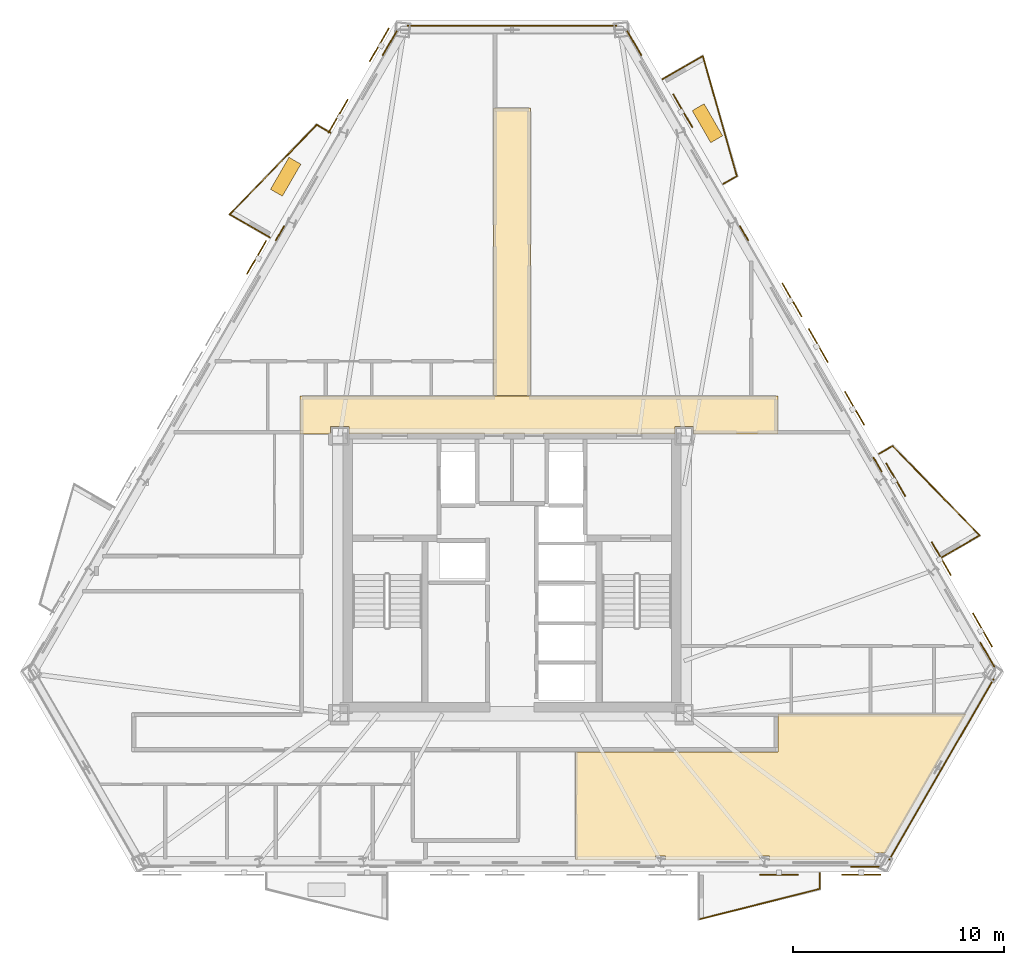
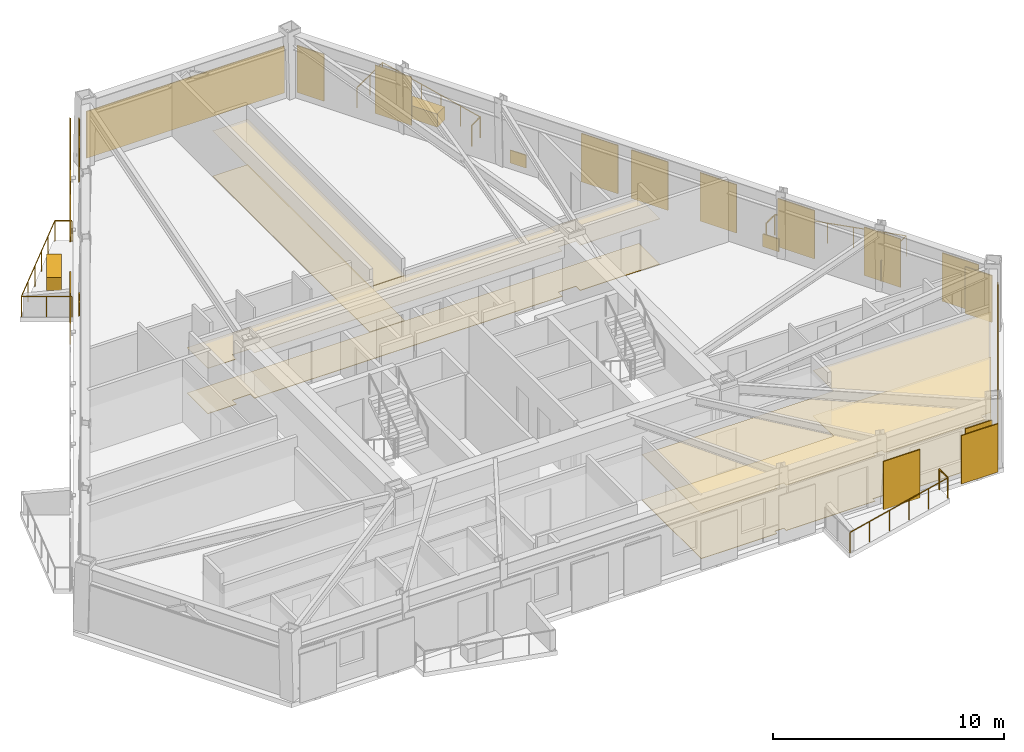
# One storey, part 9 of 9: 17 coverings, 12 shading devices, 11 railings.
"""IFC4 building model written with IfcOpenShell, lengths in metres."""

from ifc_helpers import new_model, si_unit, direction, frame, origin, origin_2d, place, context, subcontext, project, spatial, polyline, rectangle, circle, outline, extrude, material, layer, layer_set, type_object, element, save


model = new_model("IFC4")

# Units and contexts
model_context = context("Model", 3, precision=1e-05, world=origin(), true_north=direction((0.0, 1.0)))
body_context = subcontext(model_context, "Body", "Model", "MODEL_VIEW")
ifc_project = project(units=[si_unit("LENGTHUNIT", "METRE"), si_unit("AREAUNIT", "SQUARE_METRE"), si_unit("VOLUMEUNIT", "CUBIC_METRE"), si_unit("PLANEANGLEUNIT", "RADIAN"), si_unit("MASSUNIT", "GRAM", prefix="KILO")], contexts=[model_context])

# Site, building, storey
site_placement = place(None, origin())
site = spatial("IfcSite", under=ifc_project, at=site_placement, CompositionType="ELEMENT")
building_placement = place(site_placement, origin())
building = spatial("IfcBuilding", under=site, at=building_placement, Name="Oramaril Tower", CompositionType="ELEMENT")
storey_placement = place(building_placement, frame((0.0, 0.0, 130.199951171875)))
storey = spatial("IfcBuildingStorey", under=building, at=storey_placement, Name="L34", CompositionType="ELEMENT", Elevation=130.199951171875)

# Coverings
ifc_material_1 = material(Name="Mineral Fibre Acoustic Ceiling")
ifc_layer_1 = layer(ifc_material_1, 0.02001953125)
ifc_layer_set_1 = layer_set([ifc_layer_1], Name="CVT-CEIL")
covering_type_1 = type_object("IfcCoveringType", Name="CVT-CEIL", PredefinedType="CEILING", material=ifc_layer_set_1)
covering_1_placement = place(storey_placement, frame((0.0, 0.0, 2.400146484375)))
element("IfcCovering", 1, at=covering_1_placement, inside=storey, type_object=covering_type_1, Name="L34 Acoustic Suspended Ceiling 2", PredefinedType="CEILING", context=body_context, shape_type="SweptSolid", body=[
    extrude(outline(polyline([(50.080078125, 24.239990234375), (46.094970703125, 24.239990234375), (46.094970703125, 24.594970703125), (45.205078125, 24.594970703125), (45.205078125, 24.25), (29.794921875, 24.25), (29.794921875, 24.594970703125), (28.905029296875, 24.594970703125), (28.905029296875, 24.239990234375), (27.469970703125, 24.239990234375), (27.469970703125, 26.050048828125), (50.080078125, 26.050048828125), (50.080078125, 24.239990234375)])), origin(), (0.0, 0.0, 1.0), 0.02001953125),
])
covering_2_placement = place(storey_placement, frame((0.0, 0.0, 2.400146484375)))
element("IfcCovering", 2, at=covering_2_placement, inside=storey, type_object=covering_type_1, Name="L34 Acoustic Suspended Ceiling 4", PredefinedType="CEILING", context=body_context, shape_type="SweptSolid", body=[
    extrude(outline(polyline([(38.3798828125, 26.070068359375), (36.6201171875, 26.070068359375), (36.6201171875, 39.679931640625), (38.3798828125, 39.679931640625), (38.3798828125, 26.070068359375)])), origin(), (0.0, 0.0, 1.0), 0.02001953125),
])
covering_3_placement = place(storey_placement, frame((0.0, 0.0, 2.400146484375)))
element("IfcCovering", 3, at=covering_3_placement, inside=storey, type_object=covering_type_1, Name="L34 Acoustic Suspended Ceiling 7", PredefinedType="CEILING", context=body_context, shape_type="SweptSolid", body=[
    extrude(outline(polyline([(55.1962890625, 4.41064453125), (54.69091796875, 4.41064453125), (54.69091796875, 4.06787109375), (49.688720703125, 4.06787109375), (49.688720703125, 4.263671875), (49.21826171875, 4.263671875), (49.21826171875, 4.06787109375), (44.76171875, 4.06787109375), (44.76171875, 4.263671875), (44.30126953125, 4.263671875), (44.30126953125, 4.06787109375), (40.50439453125, 4.06787109375), (40.50439453125, 9.199951171875), (50.080078125, 9.199951171875), (50.08203125, 9.2001953125), (50.083984375, 9.200439453125), (50.085693359375, 9.200927734375), (50.087646484375, 9.201416015625), (50.08935546875, 9.202392578125), (50.091064453125, 9.203369140625), (50.0927734375, 9.20458984375), (50.093994140625, 9.205810546875), (50.095458984375, 9.207275390625), (50.0966796875, 9.208984375), (50.09765625, 9.210693359375), (50.098388671875, 9.21240234375), (50.09912109375, 9.214111328125), (50.099609375, 9.216064453125), (50.099853515625, 9.218017578125), (50.10009765625, 9.219970703125), (50.10009765625, 10.991943359375), (58.99609375, 10.991943359375), (55.1962890625, 4.41064453125)])), origin(), (0.0, 0.0, 1.0), 0.02001953125),
])
ifc_material_2 = material(Name="Warm Cream Limestone", Category="masonry")
ifc_layer_2 = layer(ifc_material_2, 0.050048828125)
ifc_layer_set_2 = layer_set([ifc_layer_2], Name="CVT-CLD")
covering_type_2 = type_object("IfcCoveringType", Name="CVT-CLD", PredefinedType="CLADDING", material=ifc_layer_set_2)
covering_4_placement = place(storey_placement, frame((54.210693359375, 3.766845703125, 0.0400390625), z_axis=(0.0, 0.0, 1.0), x_axis=(1.0, 0.0, 0.0)))
element("IfcCovering", 4, at=covering_4_placement, inside=storey, type_object=covering_type_2, Name="L34 Warm Cream Limestone Cladding", PredefinedType="CLADDING", context=body_context, shape_type="SweptSolid", body=[
    extrude(rectangle(XDim=1.35009765625, YDim=0.050048828125, at=origin_2d()), origin(), (0.0, 0.0, 1.0), 2.47802734375),
])
covering_5_placement = place(storey_placement, frame((57.82666015625, 8.364501953125, 0.0400390625), z_axis=(0.0, 0.0, 1.0), x_axis=(0.5, 0.866025403784, 0.0)))
element("IfcCovering", 5, at=covering_5_placement, inside=storey, type_object=covering_type_2, Name="L34 Warm Cream Limestone Cladding", PredefinedType="CLADDING", context=body_context, shape_type="SweptSolid", body=[
    extrude(rectangle(XDim=9.89453125, YDim=0.050048828125, at=origin_2d()), origin(), (0.0, 0.0, 1.0), 2.47802734375),
])
for number, where, z_axis, x_axis, name in (
    (6, (60.000244140625, 13.79443359375, 0.0400390625), (0.0, 0.0, 1.0), (-0.4999984885, 0.866026276448, 0.0), "L34 Warm Cream Limestone Cladding"),
    (7, (43.289306640625, 42.738525390625, 0.0400390625), (0.0, 0.0, 1.0), (-0.4999984885, 0.866026276448, 0.0), "L34 Warm Cream Limestone Cladding"),
):
    element("IfcCovering", number, at=place(storey_placement, frame(where, z_axis=z_axis, x_axis=x_axis)), inside=storey, type_object=covering_type_2, Name=name, PredefinedType="CLADDING", context=body_context, shape_type="SweptSolid", body=[
        extrude(rectangle(XDim=1.35009765625, YDim=0.050048828125, at=origin_2d()), origin(), (0.0, 0.0, 1.0), 2.47802734375),
    ])
for number, where, z_axis, x_axis, name in (
    (8, (54.805908203125, 22.79150390625, 0.0400390625), (0.0, 0.0, 1.0), (-0.4999984885, 0.866026276448, 0.0), "L34 Warm Cream Limestone Spandrel Cladding"),
    (9, (48.48388671875, 33.741455078125, 0.0400390625), (0.0, 0.0, 1.0), (-0.4999984885, 0.866026276448, 0.0), "L34 Warm Cream Limestone Spandrel Cladding"),
):
    element("IfcCovering", number, at=place(storey_placement, frame(where, z_axis=z_axis, x_axis=x_axis)), inside=storey, type_object=covering_type_2, Name=name, PredefinedType="CLADDING", context=body_context, shape_type="SweptSolid", body=[
        extrude(rectangle(XDim=0.800048828125, YDim=0.050048828125, at=origin_2d()), origin(), (0.0, 0.0, 1.0), 0.679931640625),
    ])
covering_6_placement = place(storey_placement, frame((37.5, 43.5712890625, 0.0400390625), z_axis=(0.0, 0.0, 1.0), x_axis=(-1.0, 0.0, 0.0)))
element("IfcCovering", 10, at=covering_6_placement, inside=storey, type_object=covering_type_2, Name="L34 Warm Cream Limestone Cladding", PredefinedType="CLADDING", context=body_context, shape_type="SweptSolid", body=[
    extrude(rectangle(XDim=9.89453125, YDim=0.050048828125, at=origin_2d()), origin(), (0.0, 0.0, 1.0), 2.47802734375),
])
covering_7_placement = place(storey_placement, frame((31.710693359375, 42.738525390625, 0.0400390625), z_axis=(0.0, 0.0, 1.0), x_axis=(-0.4999984885, -0.866026276448, 0.0)))
element("IfcCovering", 11, at=covering_7_placement, inside=storey, type_object=covering_type_2, Name="L34 Warm Cream Limestone Cladding", PredefinedType="CLADDING", context=body_context, shape_type="SweptSolid", body=[
    extrude(rectangle(XDim=1.35009765625, YDim=0.050048828125, at=origin_2d()), origin(), (0.0, 0.0, 1.0), 2.47802734375),
])
covering_8_placement = place(storey_placement, frame((26.51611328125, 33.741455078125, 0.0400390625), z_axis=(0.0, 0.0, 1.0), x_axis=(-0.4999984885, -0.866026276448, 0.0)))
element("IfcCovering", 12, at=covering_8_placement, inside=storey, type_object=covering_type_2, Name="L34 Warm Cream Limestone Spandrel Cladding", PredefinedType="CLADDING", context=body_context, shape_type="SweptSolid", body=[
    extrude(rectangle(XDim=0.800048828125, YDim=0.050048828125, at=origin_2d()), origin(), (0.0, 0.0, 1.0), 0.679931640625),
])
for number, where, z_axis, x_axis, name in (
    (13, (46.75, 38.951904296875, 0.0), (0.0, 0.0, 1.0), (-0.4999984885, 0.866026276448, 0.0), "L34 Structural Tree Planter Box L34-BAL-NE2"),
    (14, (26.78759765625, 36.4189453125, 0.0), (0.0, 0.0, 1.0), (-0.4999984885, -0.866026276448, 0.0), "L34 Structural Tree Planter Box L34-BAL-NW1"),
):
    element("IfcCovering", number, at=place(storey_placement, frame(where, z_axis=z_axis, x_axis=x_axis)), inside=storey, type_object=covering_type_2, Name=name, PredefinedType="CLADDING", context=body_context, shape_type="SweptSolid", body=[
        extrude(rectangle(XDim=1.75, YDim=0.64990234375, at=origin_2d()), origin(), (0.0, 0.0, 1.0), 0.699951171875),
    ])
ifc_material_3 = material(Name="Honed Quartzite Stone Flooring", Category="masonry")
ifc_layer_3 = layer(ifc_material_3, 0.02490234375)
ifc_layer_set_3 = layer_set([ifc_layer_3], Name="CVT-FLR")
covering_type_3 = type_object("IfcCoveringType", Name="CVT-FLR", PredefinedType="FLOORING", material=ifc_layer_set_3)
covering_9_placement = place(storey_placement, origin())
element("IfcCovering", 15, at=covering_9_placement, inside=storey, type_object=covering_type_3, Name="L34 Honed Stone Floor Finish 2", PredefinedType="FLOORING", context=body_context, shape_type="SweptSolid", body=[
    extrude(outline(polyline([(50.080078125, 24.239990234375), (46.094970703125, 24.239990234375), (46.094970703125, 24.594970703125), (45.205078125, 24.594970703125), (45.205078125, 24.25), (29.794921875, 24.25), (29.794921875, 24.594970703125), (28.905029296875, 24.594970703125), (28.905029296875, 24.239990234375), (27.469970703125, 24.239990234375), (27.469970703125, 26.050048828125), (50.080078125, 26.050048828125), (50.080078125, 24.239990234375)])), origin(), (0.0, 0.0, 1.0), 0.025146484375),
])
covering_10_placement = place(storey_placement, origin())
element("IfcCovering", 16, at=covering_10_placement, inside=storey, type_object=covering_type_3, Name="L34 Honed Stone Floor Finish 4", PredefinedType="FLOORING", context=body_context, shape_type="SweptSolid", body=[
    extrude(outline(polyline([(38.3798828125, 26.070068359375), (36.6201171875, 26.070068359375), (36.6201171875, 39.679931640625), (38.3798828125, 39.679931640625), (38.3798828125, 26.070068359375)])), origin(), (0.0, 0.0, 1.0), 0.025146484375),
])
covering_11_placement = place(storey_placement, origin())
element("IfcCovering", 17, at=covering_11_placement, inside=storey, type_object=covering_type_3, Name="L34 Honed Stone Floor Finish 7", PredefinedType="FLOORING", context=body_context, shape_type="SweptSolid", body=[
    extrude(outline(polyline([(55.1962890625, 4.41064453125), (54.69091796875, 4.41064453125), (54.69091796875, 4.06787109375), (49.688720703125, 4.06787109375), (49.688720703125, 4.263671875), (49.21826171875, 4.263671875), (49.21826171875, 4.06787109375), (44.76171875, 4.06787109375), (44.76171875, 4.263671875), (44.30126953125, 4.263671875), (44.30126953125, 4.06787109375), (40.50439453125, 4.06787109375), (40.50439453125, 9.199951171875), (50.080078125, 9.199951171875), (50.08203125, 9.2001953125), (50.083984375, 9.200439453125), (50.085693359375, 9.200927734375), (50.087646484375, 9.201416015625), (50.08935546875, 9.202392578125), (50.091064453125, 9.203369140625), (50.0927734375, 9.20458984375), (50.093994140625, 9.205810546875), (50.095458984375, 9.207275390625), (50.0966796875, 9.208984375), (50.09765625, 9.210693359375), (50.098388671875, 9.21240234375), (50.09912109375, 9.214111328125), (50.099609375, 9.216064453125), (50.099853515625, 9.218017578125), (50.10009765625, 9.219970703125), (50.10009765625, 10.991943359375), (58.99609375, 10.991943359375), (55.1962890625, 4.41064453125)])), origin(), (0.0, 0.0, 1.0), 0.025146484375),
])

# Railings
ifc_material_4 = material(Name="Stainless Steel 316L", Category="steel")
railing_type = type_object("IfcRailingType", Name="RLT-GRD", PredefinedType="GUARDRAIL", material=ifc_material_4)
railing_1_placement = place(storey_placement, frame((52.06640625, 3.451904296875, 0.0)))
element("IfcRailing", 18, at=railing_1_placement, inside=storey, type_object=railing_type, Name="L34 Balcony Guardrail L34-BAL-S2.1", PredefinedType="GUARDRAIL", context=body_context, shape_type="SweptSolid", body=[
    extrude(circle(Radius=0.02392578125, at=origin_2d()), frame((0.0, 0.0, 1.076171875), z_axis=(0.0, -1.0, 0.0), x_axis=(1.0, 0.0, 0.0)), (0.0, 0.0, 1.0), 0.741943359375),
    extrude(circle(Radius=0.02099609375, at=origin_2d()), origin(), (0.0, 0.0, 1.0), 1.052001953125),
    extrude(circle(Radius=0.02099609375, at=origin_2d()), frame((0.0, -0.741943359375, 0.0)), (0.0, 0.0, 1.0), 1.052001953125),
])
railing_2_placement = place(storey_placement, frame((52.06640625, 2.7099609375, 0.0)))
element("IfcRailing", 19, at=railing_2_placement, inside=storey, type_object=railing_type, Name="L34 Balcony Guardrail L34-BAL-S2.2", PredefinedType="GUARDRAIL", context=body_context, shape_type="SweptSolid", body=[
    extrude(circle(Radius=0.02392578125, at=origin_2d()), frame((0.0, 0.0, 1.076171875), z_axis=(-0.969443611257, -0.245314256807, 0.0), x_axis=(0.245314256807, -0.969443611257, 0.0)), (0.0, 0.0, 1.0), 5.91064453125),
    extrude(circle(Radius=0.02099609375, at=origin_2d()), origin(), (0.0, 0.0, 1.0), 1.052001953125),
    extrude(circle(Radius=0.02099609375, at=origin_2d()), frame((-1.14599609375, -0.2900390625, 0.0)), (0.0, 0.0, 1.0), 1.052001953125),
    extrude(circle(Radius=0.02099609375, at=origin_2d()), frame((-2.2919921875, -0.580078125, 0.0)), (0.0, 0.0, 1.0), 1.052001953125),
    extrude(circle(Radius=0.02099609375, at=origin_2d()), frame((-3.43798828125, -0.869873046875, 0.0)), (0.0, 0.0, 1.0), 1.052001953125),
    extrude(circle(Radius=0.02099609375, at=origin_2d()), frame((-4.583984375, -1.159912109375, 0.0)), (0.0, 0.0, 1.0), 1.052001953125),
    extrude(circle(Radius=0.02099609375, at=origin_2d()), frame((-5.72998046875, -1.449951171875, 0.0)), (0.0, 0.0, 1.0), 1.052001953125),
])
railing_3_placement = place(storey_placement, frame((54.873291015625, 23.3046875, 0.0)))
element("IfcRailing", 20, at=railing_3_placement, inside=storey, type_object=railing_type, Name="L34 Balcony Guardrail L34-BAL-NE1.1", PredefinedType="GUARDRAIL", context=body_context, shape_type="SweptSolid", body=[
    extrude(circle(Radius=0.02392578125, at=origin_2d()), frame((0.0, 0.0, 1.076171875), z_axis=(0.866108878364, 0.499855389907, 0.0), x_axis=(-0.499855389907, 0.866108878364, 0.0)), (0.0, 0.0, 1.0), 0.741943359375),
    extrude(circle(Radius=0.02099609375, at=origin_2d()), origin(), (0.0, 0.0, 1.0), 1.052001953125),
    extrude(circle(Radius=0.02099609375, at=origin_2d()), frame((0.642578125, 0.370849609375, 0.0)), (0.0, 0.0, 1.0), 1.052001953125),
])
railing_4_placement = place(storey_placement, frame((55.515869140625, 23.675537109375, 0.0)))
element("IfcRailing", 21, at=railing_4_placement, inside=storey, type_object=railing_type, Name="L34 Balcony Guardrail L34-BAL-NE1.2", PredefinedType="GUARDRAIL", context=body_context, shape_type="SweptSolid", body=[
    extrude(circle(Radius=0.02392578125, at=origin_2d()), frame((0.0, 0.0, 1.076171875), z_axis=(0.697186915353, -0.716889395277, 0.0), x_axis=(0.716889395277, 0.697186915353, 0.0)), (0.0, 0.0, 1.0), 5.91064453125),
    extrude(circle(Radius=0.02099609375, at=origin_2d()), origin(), (0.0, 0.0, 1.0), 1.052001953125),
    extrude(circle(Radius=0.02099609375, at=origin_2d()), frame((0.82421875, -0.847412109375, 0.0)), (0.0, 0.0, 1.0), 1.052001953125),
    extrude(circle(Radius=0.02099609375, at=origin_2d()), frame((1.6484375, -1.69482421875, 0.0)), (0.0, 0.0, 1.0), 1.052001953125),
    extrude(circle(Radius=0.02099609375, at=origin_2d()), frame((2.472412109375, -2.54248046875, 0.0)), (0.0, 0.0, 1.0), 1.052001953125),
    extrude(circle(Radius=0.02099609375, at=origin_2d()), frame((3.296630859375, -3.389892578125, 0.0)), (0.0, 0.0, 1.0), 1.052001953125),
    extrude(circle(Radius=0.02099609375, at=origin_2d()), frame((4.120849609375, -4.2373046875, 0.0)), (0.0, 0.0, 1.0), 1.052001953125),
])
railing_5_placement = place(storey_placement, frame((59.63671875, 19.438232421875, 0.0)))
element("IfcRailing", 22, at=railing_5_placement, inside=storey, type_object=railing_type, Name="L34 Balcony Guardrail L34-BAL-NE1.3", PredefinedType="GUARDRAIL", context=body_context, shape_type="SweptSolid", body=[
    extrude(circle(Radius=0.02392578125, at=origin_2d()), frame((0.0, 0.0, 1.076171875), z_axis=(-0.866048343933, -0.499960264392, 0.0), x_axis=(0.499960264392, -0.866048343933, 0.0)), (0.0, 0.0, 1.0), 2.192138671875),
    extrude(circle(Radius=0.02099609375, at=origin_2d()), origin(), (0.0, 0.0, 1.0), 1.052001953125),
    extrude(circle(Radius=0.02099609375, at=origin_2d()), frame((-0.94921875, -0.5478515625, 0.0)), (0.0, 0.0, 1.0), 1.052001953125),
    extrude(circle(Radius=0.02099609375, at=origin_2d()), frame((-1.8984375, -1.095947265625, 0.0)), (0.0, 0.0, 1.0), 1.052001953125),
])
railing_6_placement = place(storey_placement, frame((44.634521484375, 41.038818359375, 0.0)))
element("IfcRailing", 23, at=railing_6_placement, inside=storey, type_object=railing_type, Name="L34 Balcony Guardrail L34-BAL-NE2.1", PredefinedType="GUARDRAIL", context=body_context, shape_type="SweptSolid", body=[
    extrude(circle(Radius=0.02392578125, at=origin_2d()), frame((0.0, 0.0, 1.076171875), z_axis=(0.865972267571, 0.50009202333, 0.0), x_axis=(-0.50009202333, 0.865972267571, 0.0)), (0.0, 0.0, 1.0), 2.19189453125),
    extrude(circle(Radius=0.02099609375, at=origin_2d()), origin(), (0.0, 0.0, 1.0), 1.052001953125),
    extrude(circle(Radius=0.02099609375, at=origin_2d()), frame((0.94921875, 0.548095703125, 0.0)), (0.0, 0.0, 1.0), 1.052001953125),
    extrude(circle(Radius=0.02099609375, at=origin_2d()), frame((1.898193359375, 1.09619140625, 0.0)), (0.0, 0.0, 1.0), 1.052001953125),
])
railing_7_placement = place(storey_placement, frame((46.53271484375, 42.135009765625, 0.0)))
element("IfcRailing", 24, at=railing_7_placement, inside=storey, type_object=railing_type, Name="L34 Balcony Guardrail L34-BAL-NE2.2", PredefinedType="GUARDRAIL", context=body_context, shape_type="SweptSolid", body=[
    extrude(circle(Radius=0.02392578125, at=origin_2d()), frame((0.0, 0.0, 1.076171875), z_axis=(0.272287109361, -0.962216051662, 0.0), x_axis=(0.962216051662, 0.272287109361, 0.0)), (0.0, 0.0, 1.0), 5.91064453125),
    extrude(circle(Radius=0.02099609375, at=origin_2d()), origin(), (0.0, 0.0, 1.0), 1.052001953125),
    extrude(circle(Radius=0.02099609375, at=origin_2d()), frame((0.32177734375, -1.137451171875, 0.0)), (0.0, 0.0, 1.0), 1.052001953125),
    extrude(circle(Radius=0.02099609375, at=origin_2d()), frame((0.643798828125, -2.27490234375, 0.0)), (0.0, 0.0, 1.0), 1.052001953125),
    extrude(circle(Radius=0.02099609375, at=origin_2d()), frame((0.965576171875, -3.412353515625, 0.0)), (0.0, 0.0, 1.0), 1.052001953125),
    extrude(circle(Radius=0.02099609375, at=origin_2d()), frame((1.28759765625, -4.5498046875, 0.0)), (0.0, 0.0, 1.0), 1.052001953125),
    extrude(circle(Radius=0.02099609375, at=origin_2d()), frame((1.609375, -5.687255859375, 0.0)), (0.0, 0.0, 1.0), 1.052001953125),
])
railing_8_placement = place(storey_placement, frame((48.14208984375, 36.44775390625, 0.0)))
element("IfcRailing", 25, at=railing_8_placement, inside=storey, type_object=railing_type, Name="L34 Balcony Guardrail L34-BAL-NE2.3", PredefinedType="GUARDRAIL", context=body_context, shape_type="SweptSolid", body=[
    extrude(circle(Radius=0.02392578125, at=origin_2d()), frame((0.0, 0.0, 1.076171875), z_axis=(-0.865966403178, -0.500102178127, 0.0), x_axis=(0.500102178127, -0.865966403178, 0.0)), (0.0, 0.0, 1.0), 0.741943359375),
    extrude(circle(Radius=0.02099609375, at=origin_2d()), origin(), (0.0, 0.0, 1.0), 1.052001953125),
    extrude(circle(Radius=0.02099609375, at=origin_2d()), frame((-0.642578125, -0.37109375, 0.0)), (0.0, 0.0, 1.0), 1.052001953125),
])
railing_9_placement = place(storey_placement, frame((26.0380859375, 33.54345703125, 0.0)))
element("IfcRailing", 26, at=railing_9_placement, inside=storey, type_object=railing_type, Name="L34 Balcony Guardrail L34-BAL-NW1.1", PredefinedType="GUARDRAIL", context=body_context, shape_type="SweptSolid", body=[
    extrude(circle(Radius=0.02392578125, at=origin_2d()), frame((0.0, 0.0, 1.076171875), z_axis=(-0.866048343933, 0.499960264392, 0.0), x_axis=(-0.499960264392, -0.866048343933, 0.0)), (0.0, 0.0, 1.0), 2.192138671875),
    extrude(circle(Radius=0.02099609375, at=origin_2d()), origin(), (0.0, 0.0, 1.0), 1.052001953125),
    extrude(circle(Radius=0.02099609375, at=origin_2d()), frame((-0.94921875, 0.5478515625, 0.0)), (0.0, 0.0, 1.0), 1.052001953125),
    extrude(circle(Radius=0.02099609375, at=origin_2d()), frame((-1.8984375, 1.095947265625, 0.0)), (0.0, 0.0, 1.0), 1.052001953125),
])
railing_10_placement = place(storey_placement, frame((24.1396484375, 34.639404296875, 0.0)))
element("IfcRailing", 27, at=railing_10_placement, inside=storey, type_object=railing_type, Name="L34 Balcony Guardrail L34-BAL-NW1.2", PredefinedType="GUARDRAIL", context=body_context, shape_type="SweptSolid", body=[
    extrude(circle(Radius=0.02392578125, at=origin_2d()), frame((0.0, 0.0, 1.076171875), z_axis=(0.697186915353, 0.716889395277, 0.0), x_axis=(-0.716889395277, 0.697186915353, 0.0)), (0.0, 0.0, 1.0), 5.91064453125),
    extrude(circle(Radius=0.02099609375, at=origin_2d()), origin(), (0.0, 0.0, 1.0), 1.052001953125),
    extrude(circle(Radius=0.02099609375, at=origin_2d()), frame((0.82421875, 0.847412109375, 0.0)), (0.0, 0.0, 1.0), 1.052001953125),
    extrude(circle(Radius=0.02099609375, at=origin_2d()), frame((1.6484375, 1.69482421875, 0.0)), (0.0, 0.0, 1.0), 1.052001953125),
    extrude(circle(Radius=0.02099609375, at=origin_2d()), frame((2.472412109375, 2.54248046875, 0.0)), (0.0, 0.0, 1.0), 1.052001953125),
    extrude(circle(Radius=0.02099609375, at=origin_2d()), frame((3.296630859375, 3.389892578125, 0.0)), (0.0, 0.0, 1.0), 1.052001953125),
    extrude(circle(Radius=0.02099609375, at=origin_2d()), frame((4.120849609375, 4.2373046875, 0.0)), (0.0, 0.0, 1.0), 1.052001953125),
])
railing_11_placement = place(storey_placement, frame((28.260498046875, 38.876708984375, 0.0)))
element("IfcRailing", 28, at=railing_11_placement, inside=storey, type_object=railing_type, Name="L34 Balcony Guardrail L34-BAL-NW1.3", PredefinedType="GUARDRAIL", context=body_context, shape_type="SweptSolid", body=[
    extrude(circle(Radius=0.02392578125, at=origin_2d()), frame((0.0, 0.0, 1.076171875), z_axis=(0.866108878364, -0.499855389907, 0.0), x_axis=(0.499855389907, 0.866108878364, 0.0)), (0.0, 0.0, 1.0), 0.741943359375),
    extrude(circle(Radius=0.02099609375, at=origin_2d()), origin(), (0.0, 0.0, 1.0), 1.052001953125),
    extrude(circle(Radius=0.02099609375, at=origin_2d()), frame((0.642578125, -0.370849609375, 0.0)), (0.0, 0.0, 1.0), 1.052001953125),
])

# Shading devices
for number, where, z_axis, x_axis, name in (
    (29, (50.1337890625, 3.3798828125, -0.02001953125), (0.0, 0.0, 1.0), (1.0, 0.0, 0.0), "L34 Perforated Ceramic Solar Screen"),
    (30, (54.03369140625, 3.3798828125, -0.02001953125), (0.0, 0.0, 1.0), (1.0, 0.0, 0.0), "L34 Perforated Ceramic Solar Screen"),
    (31, (59.77197265625, 14.9638671875, -0.02001953125), (0.0, 0.0, 1.0), (-0.4999984885, 0.866026276448, 0.0), "L34 Perforated Ceramic Solar Screen"),
    (32, (57.822021484375, 18.34130859375, -0.02001953125), (0.0, 0.0, 1.0), (-0.4999984885, 0.866026276448, 0.0), "L34 Perforated Ceramic Solar Screen"),
    (33, (55.66357421875, 22.079833984375, -0.02001953125), (0.0, 0.0, 1.0), (-0.4999984885, 0.866026276448, 0.0), "L34 Perforated Ceramic Solar Screen"),
    (34, (53.713623046875, 25.45751953125, -0.02001953125), (0.0, 0.0, 1.0), (-0.4999984885, 0.866026276448, 0.0), "L34 Perforated Ceramic Solar Screen"),
    (35, (45.584716796875, 39.537109375, -0.02001953125), (0.0, 0.0, 1.0), (-0.4999984885, 0.866026276448, 0.0), "L34 Perforated Ceramic Solar Screen"),
    (36, (51.9970703125, 28.430419921875, -0.02001953125), (0.0, 0.0, 1.0), (-0.4999984885, 0.866026276448, 0.0), "L34 Perforated Ceramic Solar Screen"),
    (37, (50.747802734375, 30.593994140625, -0.02001953125), (0.0, 0.0, 1.0), (-0.4999984885, 0.866026276448, 0.0), "L34 Perforated Ceramic Solar Screen"),
    (38, (31.218994140625, 42.661376953125, -0.02001953125), (0.0, 0.0, 1.0), (-0.4999984885, -0.866026276448, 0.0), "L34 Perforated Ceramic Solar Screen"),
    (39, (29.26904296875, 39.28369140625, -0.02001953125), (0.0, 0.0, 1.0), (-0.4999984885, -0.866026276448, 0.0), "L34 Perforated Ceramic Solar Screen"),
    (40, (25.412353515625, 32.60400390625, -0.02001953125), (0.0, 0.0, 1.0), (-0.4999984885, -0.866026276448, 0.0), "L34 Perforated Ceramic Solar Screen"),
):
    element("IfcShadingDevice", number, at=place(storey_placement, frame(where, z_axis=z_axis, x_axis=x_axis)), inside=storey, Name=name, ObjectType="SCREEN", PredefinedType="USERDEFINED", context=body_context, shape_type="SweptSolid", body=[
        extrude(rectangle(XDim=1.8330078125, YDim=0.050048828125, at=origin_2d()), origin(), (0.0, 0.0, 1.0), 2.55810546875),
    ])

save(model, "model.ifc")
